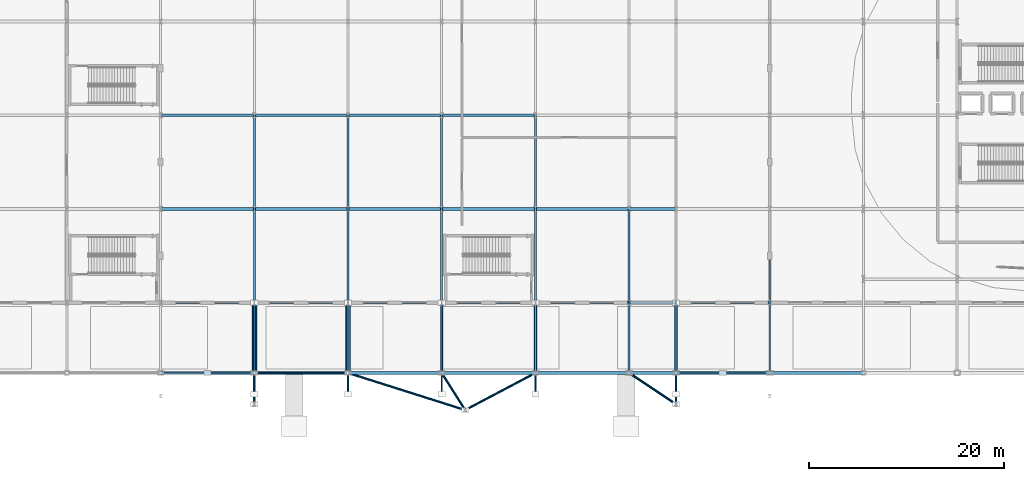
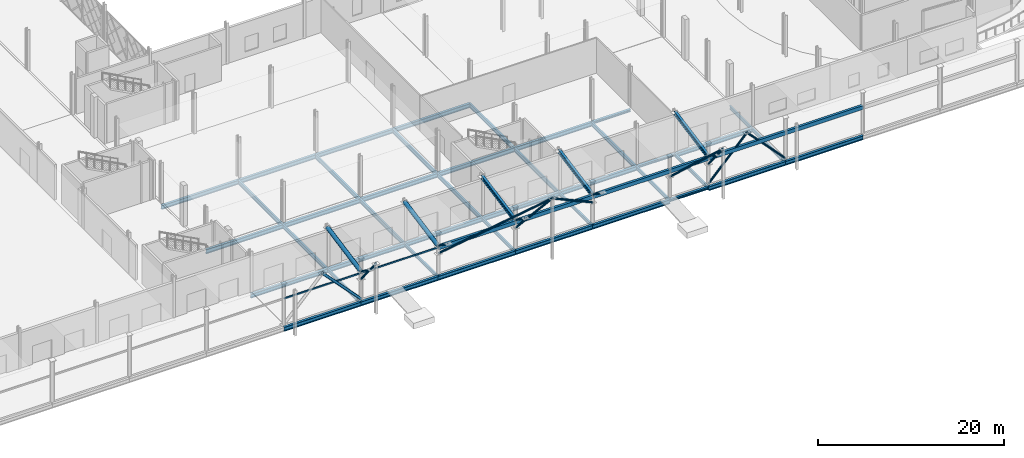
# One storey, part 30 of 84: 50 beams, 19 members.
"""IFC4 building model written with IfcOpenShell, lengths in metres."""

from ifc_helpers import new_model, si_unit, direction, frame, origin, origin_2d, place, context, subcontext, project, spatial, rectangle, hollow_rectangle, hollow_circle, i_section, extrude, material, material_profile, profile_set, type_object, element, save


model = new_model("IFC4")

# Units and contexts
model_context = context("Model", 3, precision=1e-05, world=origin(), true_north=direction((0.0, 1.0)))
body_context = subcontext(model_context, "Body", "Model", "MODEL_VIEW")
ifc_project = project(units=[si_unit("LENGTHUNIT", "METRE"), si_unit("AREAUNIT", "SQUARE_METRE"), si_unit("VOLUMEUNIT", "CUBIC_METRE"), si_unit("PLANEANGLEUNIT", "RADIAN"), si_unit("MASSUNIT", "GRAM", prefix="KILO")], contexts=[model_context])

# Site, building, storey
site_placement = place(None, origin())
site = spatial("IfcSite", under=ifc_project, at=site_placement, CompositionType="ELEMENT")
building_placement = place(site_placement, origin())
building = spatial("IfcBuilding", under=site, at=building_placement, Name="Zevrakil Square Congress Hotel", CompositionType="ELEMENT")
storey_placement = place(building_placement, origin())
storey = spatial("IfcBuildingStorey", under=building, at=storey_placement, Name="L01", CompositionType="ELEMENT", Elevation=0.0)

# Beams
ifc_material_1 = material(Name="Steel S355", Category="steel")
ifc_material_profile_1 = material_profile(ifc_material_1, i_section(OverallWidth=0.300048828125, OverallDepth=0.31005859375, WebThickness=0.009033203125, FlangeThickness=0.015380859375, FilletRadius=0.027099609375, at=origin_2d()), Name="HEA 320")
ifc_profile_set_1 = profile_set([ifc_material_profile_1], Name="Steel S355")
beam_type_1 = type_object("IfcBeamType", Name="BM-HEA320", PredefinedType="BEAM", material=ifc_profile_set_1)
for number, where, z_axis, x_axis, name in (
    (1, (103.199951171875, 0.0, -0.47509765625), (1.0, 0.0, 0.0), (0.0, 1.0, 0.0), "L01 primary girder BX-0270"),
    (2, (103.199951171875, 7.199951171875, -0.47509765625), (1.0, 0.0, 0.0), (0.0, 1.0, 0.0), "L01 primary girder BX-0289"),
    (3, (103.199951171875, 16.800048828125, -0.47509765625), (1.0, 0.0, 0.0), (0.0, 1.0, 0.0), "L01 primary girder BX-0306"),
):
    element("IfcBeam", number, at=place(storey_placement, frame(where, z_axis=z_axis, x_axis=x_axis)), inside=storey, type_object=beam_type_1, Name=name, PredefinedType="BEAM", context=body_context, shape_type="SweptSolid", body=[
        extrude(i_section(OverallWidth=0.300048828125, OverallDepth=0.31005859375, WebThickness=0.009033203125, FlangeThickness=0.015380859375, FilletRadius=0.027099609375, at=origin_2d()), origin(), (0.0, 0.0, 1.0), 4.800048828125),
    ])
ifc_material_2 = material(Name="Steel S355", Category="steel")
ifc_material_profile_2 = material_profile(ifc_material_2, i_section(OverallWidth=0.300048828125, OverallDepth=0.5400390625, WebThickness=0.012451171875, FlangeThickness=0.02392578125, FilletRadius=0.027099609375, at=origin_2d()), Name="HEA 550")
ifc_profile_set_2 = profile_set([ifc_material_profile_2], Name="Steel S355")
beam_type_2 = type_object("IfcBeamType", Name="BM-HEA550", PredefinedType="BEAM", material=ifc_profile_set_2)
beam_1_placement = place(storey_placement, frame((55.199951171875, 0.0, -0.590087890625), z_axis=(1.0, 0.0, 0.0), x_axis=(0.0, 1.0, 0.0)))
element("IfcBeam", 4, at=beam_1_placement, inside=storey, type_object=beam_type_2, Name="L01 primary girder BX-0265", PredefinedType="BEAM", context=body_context, shape_type="SweptSolid", body=[
    extrude(i_section(OverallWidth=0.300048828125, OverallDepth=0.5400390625, WebThickness=0.012451171875, FlangeThickness=0.02392578125, FilletRadius=0.027099609375, at=origin_2d()), origin(), (0.0, 0.0, 1.0), 9.60009765625),
])
beam_2_placement = place(storey_placement, frame((64.800048828125, 0.0, -0.590087890625), z_axis=(1.0, 0.0, 0.0), x_axis=(0.0, 1.0, 0.0)))
element("IfcBeam", 5, at=beam_2_placement, inside=storey, type_object=beam_type_2, Name="L01 primary girder BX-0266", PredefinedType="BEAM", context=body_context, shape_type="SweptSolid", body=[
    extrude(i_section(OverallWidth=0.300048828125, OverallDepth=0.5400390625, WebThickness=0.012451171875, FlangeThickness=0.02392578125, FilletRadius=0.027099609375, at=origin_2d()), origin(), (0.0, 0.0, 1.0), 9.599853515625),
])
for number, where, z_axis, x_axis, name in (
    (6, (74.39990234375, 0.0, -0.590087890625), (1.0, 0.0, 0.0), (0.0, 1.0, 0.0), "L01 primary girder BX-0267"),
    (7, (84.0, 0.0, -0.590087890625), (1.0, 0.0, 0.0), (0.0, 1.0, 0.0), "L01 primary girder BX-0268"),
):
    element("IfcBeam", number, at=place(storey_placement, frame(where, z_axis=z_axis, x_axis=x_axis)), inside=storey, type_object=beam_type_2, Name=name, PredefinedType="BEAM", context=body_context, shape_type="SweptSolid", body=[
        extrude(i_section(OverallWidth=0.300048828125, OverallDepth=0.5400390625, WebThickness=0.012451171875, FlangeThickness=0.02392578125, FilletRadius=0.027099609375, at=origin_2d()), origin(), (0.0, 0.0, 1.0), 9.60009765625),
    ])
beam_3_placement = place(storey_placement, frame((93.60009765625, 0.0, -0.590087890625), z_axis=(1.0, 0.0, 0.0), x_axis=(0.0, 1.0, 0.0)))
element("IfcBeam", 8, at=beam_3_placement, inside=storey, type_object=beam_type_2, Name="L01 primary girder BX-0269", PredefinedType="BEAM", context=body_context, shape_type="SweptSolid", body=[
    extrude(i_section(OverallWidth=0.300048828125, OverallDepth=0.5400390625, WebThickness=0.012451171875, FlangeThickness=0.02392578125, FilletRadius=0.027099609375, at=origin_2d()), origin(), (0.0, 0.0, 1.0), 9.599853515625),
])
beam_4_placement = place(storey_placement, frame((108.0, 0.0, -0.590087890625), z_axis=(1.0, 0.0, 0.0), x_axis=(0.0, 1.0, 0.0)))
element("IfcBeam", 9, at=beam_4_placement, inside=storey, type_object=beam_type_2, Name="L01 primary girder BX-0271", PredefinedType="BEAM", context=body_context, shape_type="SweptSolid", body=[
    extrude(i_section(OverallWidth=0.300048828125, OverallDepth=0.5400390625, WebThickness=0.012451171875, FlangeThickness=0.02392578125, FilletRadius=0.027099609375, at=origin_2d()), origin(), (0.0, 0.0, 1.0), 9.60009765625),
])
beam_5_placement = place(storey_placement, frame((117.60009765625, 0.0, -0.590087890625), z_axis=(1.0, 0.0, 0.0), x_axis=(0.0, 1.0, 0.0)))
element("IfcBeam", 10, at=beam_5_placement, inside=storey, type_object=beam_type_2, Name="L01 primary girder BX-0272", PredefinedType="BEAM", context=body_context, shape_type="SweptSolid", body=[
    extrude(i_section(OverallWidth=0.300048828125, OverallDepth=0.5400390625, WebThickness=0.012451171875, FlangeThickness=0.02392578125, FilletRadius=0.027099609375, at=origin_2d()), origin(), (0.0, 0.0, 1.0), 9.599853515625),
])
beam_6_placement = place(storey_placement, frame((55.199951171875, 7.199951171875, -0.590087890625), z_axis=(1.0, 0.0, 0.0), x_axis=(0.0, 1.0, 0.0)))
element("IfcBeam", 11, at=beam_6_placement, inside=storey, type_object=beam_type_2, Name="L01 primary girder BX-0284", PredefinedType="BEAM", context=body_context, shape_type="SweptSolid", body=[
    extrude(i_section(OverallWidth=0.300048828125, OverallDepth=0.5400390625, WebThickness=0.012451171875, FlangeThickness=0.02392578125, FilletRadius=0.027099609375, at=origin_2d()), origin(), (0.0, 0.0, 1.0), 9.60009765625),
])
beam_7_placement = place(storey_placement, frame((64.800048828125, 7.199951171875, -0.590087890625), z_axis=(1.0, 0.0, 0.0), x_axis=(0.0, 1.0, 0.0)))
element("IfcBeam", 12, at=beam_7_placement, inside=storey, type_object=beam_type_2, Name="L01 primary girder BX-0285", PredefinedType="BEAM", context=body_context, shape_type="SweptSolid", body=[
    extrude(i_section(OverallWidth=0.300048828125, OverallDepth=0.5400390625, WebThickness=0.012451171875, FlangeThickness=0.02392578125, FilletRadius=0.027099609375, at=origin_2d()), origin(), (0.0, 0.0, 1.0), 9.599853515625),
])
for number, where, z_axis, x_axis, name in (
    (13, (74.39990234375, 7.199951171875, -0.590087890625), (1.0, 0.0, 0.0), (0.0, 1.0, 0.0), "L01 primary girder BX-0286"),
    (14, (84.0, 7.199951171875, -0.590087890625), (1.0, 0.0, 0.0), (0.0, 1.0, 0.0), "L01 primary girder BX-0287"),
):
    element("IfcBeam", number, at=place(storey_placement, frame(where, z_axis=z_axis, x_axis=x_axis)), inside=storey, type_object=beam_type_2, Name=name, PredefinedType="BEAM", context=body_context, shape_type="SweptSolid", body=[
        extrude(i_section(OverallWidth=0.300048828125, OverallDepth=0.5400390625, WebThickness=0.012451171875, FlangeThickness=0.02392578125, FilletRadius=0.027099609375, at=origin_2d()), origin(), (0.0, 0.0, 1.0), 9.60009765625),
    ])
beam_8_placement = place(storey_placement, frame((93.60009765625, 7.199951171875, -0.590087890625), z_axis=(1.0, 0.0, 0.0), x_axis=(0.0, 1.0, 0.0)))
element("IfcBeam", 15, at=beam_8_placement, inside=storey, type_object=beam_type_2, Name="L01 primary girder BX-0288", PredefinedType="BEAM", context=body_context, shape_type="SweptSolid", body=[
    extrude(i_section(OverallWidth=0.300048828125, OverallDepth=0.5400390625, WebThickness=0.012451171875, FlangeThickness=0.02392578125, FilletRadius=0.027099609375, at=origin_2d()), origin(), (0.0, 0.0, 1.0), 9.599853515625),
])
for number, where, z_axis, x_axis, name in (
    (16, (108.0, 7.199951171875, -0.590087890625), (1.0, 0.0, 0.0), (0.0, 1.0, 0.0), "L01 primary girder BX-0290"),
    (17, (55.199951171875, 16.800048828125, -0.590087890625), (1.0, 0.0, 0.0), (0.0, 1.0, 0.0), "L01 primary girder BX-0301"),
):
    element("IfcBeam", number, at=place(storey_placement, frame(where, z_axis=z_axis, x_axis=x_axis)), inside=storey, type_object=beam_type_2, Name=name, PredefinedType="BEAM", context=body_context, shape_type="SweptSolid", body=[
        extrude(i_section(OverallWidth=0.300048828125, OverallDepth=0.5400390625, WebThickness=0.012451171875, FlangeThickness=0.02392578125, FilletRadius=0.027099609375, at=origin_2d()), origin(), (0.0, 0.0, 1.0), 9.60009765625),
    ])
beam_9_placement = place(storey_placement, frame((64.800048828125, 16.800048828125, -0.590087890625), z_axis=(1.0, 0.0, 0.0), x_axis=(0.0, 1.0, 0.0)))
element("IfcBeam", 18, at=beam_9_placement, inside=storey, type_object=beam_type_2, Name="L01 primary girder BX-0302", PredefinedType="BEAM", context=body_context, shape_type="SweptSolid", body=[
    extrude(i_section(OverallWidth=0.300048828125, OverallDepth=0.5400390625, WebThickness=0.012451171875, FlangeThickness=0.02392578125, FilletRadius=0.027099609375, at=origin_2d()), origin(), (0.0, 0.0, 1.0), 9.599853515625),
])
for number, where, z_axis, x_axis, name in (
    (19, (74.39990234375, 16.800048828125, -0.590087890625), (1.0, 0.0, 0.0), (0.0, 1.0, 0.0), "L01 primary girder BX-0303"),
    (20, (84.0, 16.800048828125, -0.590087890625), (1.0, 0.0, 0.0), (0.0, 1.0, 0.0), "L01 primary girder BX-0304"),
):
    element("IfcBeam", number, at=place(storey_placement, frame(where, z_axis=z_axis, x_axis=x_axis)), inside=storey, type_object=beam_type_2, Name=name, PredefinedType="BEAM", context=body_context, shape_type="SweptSolid", body=[
        extrude(i_section(OverallWidth=0.300048828125, OverallDepth=0.5400390625, WebThickness=0.012451171875, FlangeThickness=0.02392578125, FilletRadius=0.027099609375, at=origin_2d()), origin(), (0.0, 0.0, 1.0), 9.60009765625),
    ])
beam_10_placement = place(storey_placement, frame((93.60009765625, 16.800048828125, -0.590087890625), z_axis=(1.0, 0.0, 0.0), x_axis=(0.0, 1.0, 0.0)))
element("IfcBeam", 21, at=beam_10_placement, inside=storey, type_object=beam_type_2, Name="L01 primary girder BX-0305", PredefinedType="BEAM", context=body_context, shape_type="SweptSolid", body=[
    extrude(i_section(OverallWidth=0.300048828125, OverallDepth=0.5400390625, WebThickness=0.012451171875, FlangeThickness=0.02392578125, FilletRadius=0.027099609375, at=origin_2d()), origin(), (0.0, 0.0, 1.0), 9.599853515625),
])
beam_11_placement = place(storey_placement, frame((55.199951171875, 26.39990234375, -0.590087890625), z_axis=(1.0, 0.0, 0.0), x_axis=(0.0, 1.0, 0.0)))
element("IfcBeam", 22, at=beam_11_placement, inside=storey, type_object=beam_type_2, Name="L01 primary girder BX-0320", PredefinedType="BEAM", context=body_context, shape_type="SweptSolid", body=[
    extrude(i_section(OverallWidth=0.300048828125, OverallDepth=0.5400390625, WebThickness=0.012451171875, FlangeThickness=0.02392578125, FilletRadius=0.027099609375, at=origin_2d()), origin(), (0.0, 0.0, 1.0), 9.60009765625),
])
beam_12_placement = place(storey_placement, frame((64.800048828125, 26.39990234375, -0.590087890625), z_axis=(1.0, 0.0, 0.0), x_axis=(0.0, 1.0, 0.0)))
element("IfcBeam", 23, at=beam_12_placement, inside=storey, type_object=beam_type_2, Name="L01 primary girder BX-0321", PredefinedType="BEAM", context=body_context, shape_type="SweptSolid", body=[
    extrude(i_section(OverallWidth=0.300048828125, OverallDepth=0.5400390625, WebThickness=0.012451171875, FlangeThickness=0.02392578125, FilletRadius=0.027099609375, at=origin_2d()), origin(), (0.0, 0.0, 1.0), 9.599853515625),
])
for number, where, z_axis, x_axis, name in (
    (24, (74.39990234375, 26.39990234375, -0.590087890625), (1.0, 0.0, 0.0), (0.0, 1.0, 0.0), "L01 primary girder BX-0322"),
    (25, (84.0, 26.39990234375, -0.590087890625), (1.0, 0.0, 0.0), (0.0, 1.0, 0.0), "L01 primary girder BX-0323"),
):
    element("IfcBeam", number, at=place(storey_placement, frame(where, z_axis=z_axis, x_axis=x_axis)), inside=storey, type_object=beam_type_2, Name=name, PredefinedType="BEAM", context=body_context, shape_type="SweptSolid", body=[
        extrude(i_section(OverallWidth=0.300048828125, OverallDepth=0.5400390625, WebThickness=0.012451171875, FlangeThickness=0.02392578125, FilletRadius=0.027099609375, at=origin_2d()), origin(), (0.0, 0.0, 1.0), 9.60009765625),
    ])
ifc_material_3 = material(Name="Steel S355", Category="steel")
ifc_material_profile_3 = material_profile(ifc_material_3, i_section(OverallWidth=0.18994140625, OverallDepth=0.449951171875, WebThickness=0.009521484375, FlangeThickness=0.0146484375, FilletRadius=0.02099609375, at=origin_2d()), Name="IPE 450")
ifc_profile_set_3 = profile_set([ifc_material_profile_3], Name="Steel S355")
beam_type_3 = type_object("IfcBeamType", Name="BM-IPE450", PredefinedType="BEAM", material=ifc_profile_set_3)
for number, where, z_axis, x_axis, name in (
    (26, (64.800048828125, 0.0, -0.544921875), (0.0, 1.0, 0.0), (-1.0, 0.0, 0.0), "L01 primary girder BY-0535"),
    (27, (74.39990234375, 0.0, -0.544921875), (0.0, 1.0, 0.0), (-1.0, 0.0, 0.0), "L01 primary girder BY-0548"),
    (28, (84.0, 0.0, -0.544921875), (0.0, 1.0, 0.0), (-1.0, 0.0, 0.0), "L01 primary girder BY-0557"),
    (29, (93.60009765625, 0.0, -0.544921875), (0.0, 1.0, 0.0), (-1.0, 0.0, 0.0), "L01 primary girder BY-0566"),
    (30, (103.199951171875, 0.0, -0.544921875), (0.0, 1.0, 0.0), (-1.0, 0.0, 0.0), "L01 primary girder BY-0575"),
    (31, (108.0, 0.0, -0.544921875), (0.0, 1.0, 0.0), (-1.0, 0.0, 0.0), "L01 primary girder BY-0584"),
    (32, (117.60009765625, 0.0, -0.544921875), (0.0, 1.0, 0.0), (-1.0, 0.0, 0.0), "L01 primary girder BY-0597"),
):
    element("IfcBeam", number, at=place(storey_placement, frame(where, z_axis=z_axis, x_axis=x_axis)), inside=storey, type_object=beam_type_3, Name=name, PredefinedType="BEAM", context=body_context, shape_type="SweptSolid", body=[
        extrude(i_section(OverallWidth=0.18994140625, OverallDepth=0.449951171875, WebThickness=0.009521484375, FlangeThickness=0.0146484375, FilletRadius=0.02099609375, at=origin_2d()), origin(), (0.0, 0.0, 1.0), 7.199951171875),
    ])
beam_13_placement = place(storey_placement, frame((117.60009765625, 7.199951171875, -0.544921875), z_axis=(0.0, 1.0, 0.0), x_axis=(-1.0, 0.0, 0.0)))
element("IfcBeam", 33, at=beam_13_placement, inside=storey, type_object=beam_type_3, Name="L01 primary girder BY-0598", PredefinedType="BEAM", context=body_context, shape_type="SweptSolid", body=[
    extrude(i_section(OverallWidth=0.18994140625, OverallDepth=0.449951171875, WebThickness=0.009521484375, FlangeThickness=0.0146484375, FilletRadius=0.02099609375, at=origin_2d()), origin(), (0.0, 0.0, 1.0), 4.800048828125),
])
ifc_material_4 = material(Name="Steel S355", Category="steel")
ifc_material_profile_4 = material_profile(ifc_material_4, i_section(OverallWidth=0.2099609375, OverallDepth=0.550048828125, WebThickness=0.010986328125, FlangeThickness=0.01708984375, FilletRadius=0.02392578125, at=origin_2d()), Name="IPE 550")
ifc_profile_set_4 = profile_set([ifc_material_profile_4], Name="Steel S355")
beam_type_4 = type_object("IfcBeamType", Name="BM-IPE550", PredefinedType="BEAM", material=ifc_profile_set_4)
beam_14_placement = place(storey_placement, frame((64.800048828125, 7.199951171875, -0.594970703125), z_axis=(0.0, 1.0, 0.0), x_axis=(-1.0, 0.0, 0.0)))
element("IfcBeam", 34, at=beam_14_placement, inside=storey, type_object=beam_type_4, Name="L01 primary girder BY-0536", PredefinedType="BEAM", context=body_context, shape_type="SweptSolid", body=[
    extrude(i_section(OverallWidth=0.2099609375, OverallDepth=0.550048828125, WebThickness=0.010986328125, FlangeThickness=0.01708984375, FilletRadius=0.02392578125, at=origin_2d()), origin(), (0.0, 0.0, 1.0), 9.60009765625),
])
beam_15_placement = place(storey_placement, frame((64.800048828125, 16.800048828125, -0.594970703125), z_axis=(0.0, 1.0, 0.0), x_axis=(-1.0, 0.0, 0.0)))
element("IfcBeam", 35, at=beam_15_placement, inside=storey, type_object=beam_type_4, Name="L01 primary girder BY-0537", PredefinedType="BEAM", context=body_context, shape_type="SweptSolid", body=[
    extrude(i_section(OverallWidth=0.2099609375, OverallDepth=0.550048828125, WebThickness=0.010986328125, FlangeThickness=0.01708984375, FilletRadius=0.02392578125, at=origin_2d()), origin(), (0.0, 0.0, 1.0), 9.599853515625),
])
beam_16_placement = place(storey_placement, frame((74.39990234375, 7.199951171875, -0.594970703125), z_axis=(0.0, 1.0, 0.0), x_axis=(-1.0, 0.0, 0.0)))
element("IfcBeam", 36, at=beam_16_placement, inside=storey, type_object=beam_type_4, Name="L01 primary girder BY-0549", PredefinedType="BEAM", context=body_context, shape_type="SweptSolid", body=[
    extrude(i_section(OverallWidth=0.2099609375, OverallDepth=0.550048828125, WebThickness=0.010986328125, FlangeThickness=0.01708984375, FilletRadius=0.02392578125, at=origin_2d()), origin(), (0.0, 0.0, 1.0), 9.60009765625),
])
beam_17_placement = place(storey_placement, frame((74.39990234375, 16.800048828125, -0.594970703125), z_axis=(0.0, 1.0, 0.0), x_axis=(-1.0, 0.0, 0.0)))
element("IfcBeam", 37, at=beam_17_placement, inside=storey, type_object=beam_type_4, Name="L01 primary girder BY-0550", PredefinedType="BEAM", context=body_context, shape_type="SweptSolid", body=[
    extrude(i_section(OverallWidth=0.2099609375, OverallDepth=0.550048828125, WebThickness=0.010986328125, FlangeThickness=0.01708984375, FilletRadius=0.02392578125, at=origin_2d()), origin(), (0.0, 0.0, 1.0), 9.599853515625),
])
beam_18_placement = place(storey_placement, frame((84.0, 7.199951171875, -0.594970703125), z_axis=(0.0, 1.0, 0.0), x_axis=(-1.0, 0.0, 0.0)))
element("IfcBeam", 38, at=beam_18_placement, inside=storey, type_object=beam_type_4, Name="L01 primary girder BY-0558", PredefinedType="BEAM", context=body_context, shape_type="SweptSolid", body=[
    extrude(i_section(OverallWidth=0.2099609375, OverallDepth=0.550048828125, WebThickness=0.010986328125, FlangeThickness=0.01708984375, FilletRadius=0.02392578125, at=origin_2d()), origin(), (0.0, 0.0, 1.0), 9.60009765625),
])
beam_19_placement = place(storey_placement, frame((84.0, 16.800048828125, -0.594970703125), z_axis=(0.0, 1.0, 0.0), x_axis=(-1.0, 0.0, 0.0)))
element("IfcBeam", 39, at=beam_19_placement, inside=storey, type_object=beam_type_4, Name="L01 primary girder BY-0559", PredefinedType="BEAM", context=body_context, shape_type="SweptSolid", body=[
    extrude(i_section(OverallWidth=0.2099609375, OverallDepth=0.550048828125, WebThickness=0.010986328125, FlangeThickness=0.01708984375, FilletRadius=0.02392578125, at=origin_2d()), origin(), (0.0, 0.0, 1.0), 9.599853515625),
])
beam_20_placement = place(storey_placement, frame((93.60009765625, 7.199951171875, -0.594970703125), z_axis=(0.0, 1.0, 0.0), x_axis=(-1.0, 0.0, 0.0)))
element("IfcBeam", 40, at=beam_20_placement, inside=storey, type_object=beam_type_4, Name="L01 primary girder BY-0567", PredefinedType="BEAM", context=body_context, shape_type="SweptSolid", body=[
    extrude(i_section(OverallWidth=0.2099609375, OverallDepth=0.550048828125, WebThickness=0.010986328125, FlangeThickness=0.01708984375, FilletRadius=0.02392578125, at=origin_2d()), origin(), (0.0, 0.0, 1.0), 9.60009765625),
])
beam_21_placement = place(storey_placement, frame((93.60009765625, 16.800048828125, -0.594970703125), z_axis=(0.0, 1.0, 0.0), x_axis=(-1.0, 0.0, 0.0)))
element("IfcBeam", 41, at=beam_21_placement, inside=storey, type_object=beam_type_4, Name="L01 primary girder BY-0568", PredefinedType="BEAM", context=body_context, shape_type="SweptSolid", body=[
    extrude(i_section(OverallWidth=0.2099609375, OverallDepth=0.550048828125, WebThickness=0.010986328125, FlangeThickness=0.01708984375, FilletRadius=0.02392578125, at=origin_2d()), origin(), (0.0, 0.0, 1.0), 9.599853515625),
])
beam_22_placement = place(storey_placement, frame((103.199951171875, 7.199951171875, -0.594970703125), z_axis=(0.0, 1.0, 0.0), x_axis=(-1.0, 0.0, 0.0)))
element("IfcBeam", 42, at=beam_22_placement, inside=storey, type_object=beam_type_4, Name="L01 primary girder BY-0576", PredefinedType="BEAM", context=body_context, shape_type="SweptSolid", body=[
    extrude(i_section(OverallWidth=0.2099609375, OverallDepth=0.550048828125, WebThickness=0.010986328125, FlangeThickness=0.01708984375, FilletRadius=0.02392578125, at=origin_2d()), origin(), (0.0, 0.0, 1.0), 9.60009765625),
])
ifc_material_5 = material(Name="Concrete C40/50", Category="concrete")
ifc_material_profile_5 = material_profile(ifc_material_5, rectangle(XDim=0.300048828125, YDim=0.5, at=origin_2d()), Name="RC 300x500")
ifc_profile_set_5 = profile_set([ifc_material_profile_5], Name="Concrete C40/50")
beam_type_5 = type_object("IfcBeamType", Name="LNT-RC300x500", PredefinedType="LINTEL", material=ifc_profile_set_5)
for number, where, z_axis, x_axis, name in (
    (43, (74.39990234375, 0.0, 3.39990234375), (1.0, 0.0, 0.0), (0.0, 1.0, 0.0), "L01 colonnade transom lintel LN-09"),
    (44, (84.0, 0.0, 3.39990234375), (1.0, 0.0, 0.0), (0.0, 1.0, 0.0), "L01 colonnade transom lintel LN-10"),
):
    element("IfcBeam", number, at=place(storey_placement, frame(where, z_axis=z_axis, x_axis=x_axis)), inside=storey, type_object=beam_type_5, Name=name, PredefinedType="LINTEL", context=body_context, shape_type="SweptSolid", body=[
        extrude(rectangle(XDim=0.300048828125, YDim=0.5, at=origin_2d()), origin(), (0.0, 0.0, 1.0), 9.60009765625),
    ])
beam_23_placement = place(storey_placement, frame((93.60009765625, 0.0, 3.39990234375), z_axis=(1.0, 0.0, 0.0), x_axis=(0.0, 1.0, 0.0)))
element("IfcBeam", 45, at=beam_23_placement, inside=storey, type_object=beam_type_5, Name="L01 colonnade transom lintel LN-11", PredefinedType="LINTEL", context=body_context, shape_type="SweptSolid", body=[
    extrude(rectangle(XDim=0.300048828125, YDim=0.5, at=origin_2d()), origin(), (0.0, 0.0, 1.0), 9.599853515625),
])
beam_24_placement = place(storey_placement, frame((103.199951171875, 0.0, 3.39990234375), z_axis=(1.0, 0.0, 0.0), x_axis=(0.0, 1.0, 0.0)))
element("IfcBeam", 46, at=beam_24_placement, inside=storey, type_object=beam_type_5, Name="L01 colonnade transom lintel LN-12", PredefinedType="LINTEL", context=body_context, shape_type="SweptSolid", body=[
    extrude(rectangle(XDim=0.300048828125, YDim=0.5, at=origin_2d()), origin(), (0.0, 0.0, 1.0), 4.800048828125),
])
beam_25_placement = place(storey_placement, frame((108.0, 0.0, 3.39990234375), z_axis=(1.0, 0.0, 0.0), x_axis=(0.0, 1.0, 0.0)))
element("IfcBeam", 47, at=beam_25_placement, inside=storey, type_object=beam_type_5, Name="L01 colonnade transom lintel LN-13", PredefinedType="LINTEL", context=body_context, shape_type="SweptSolid", body=[
    extrude(rectangle(XDim=0.300048828125, YDim=0.5, at=origin_2d()), origin(), (0.0, 0.0, 1.0), 9.60009765625),
])
beam_26_placement = place(storey_placement, frame((117.60009765625, 0.0, 3.39990234375), z_axis=(1.0, 0.0, 0.0), x_axis=(0.0, 1.0, 0.0)))
element("IfcBeam", 48, at=beam_26_placement, inside=storey, type_object=beam_type_5, Name="L01 colonnade transom lintel LN-14", PredefinedType="LINTEL", context=body_context, shape_type="SweptSolid", body=[
    extrude(rectangle(XDim=0.300048828125, YDim=0.5, at=origin_2d()), origin(), (0.0, 0.0, 1.0), 9.599853515625),
])
ifc_material_6 = material(Name="Steel S355", Category="steel")
ifc_material_profile_6 = material_profile(ifc_material_6, hollow_rectangle(XDim=0.10009765625, YDim=0.199951171875, WallThickness=0.010009765625, InnerFilletRadius=0.010009765625, OuterFilletRadius=0.02001953125, at=origin_2d()), Name="RHS 200x100x10")
ifc_profile_set_6 = profile_set([ifc_material_profile_6], Name="Steel S355")
beam_type_6 = type_object("IfcBeamType", Name="LNT-RHS200", PredefinedType="LINTEL", material=ifc_profile_set_6)
beam_27_placement = place(storey_placement, frame((55.199951171875, 0.0, 3.39990234375), z_axis=(1.0, 0.0, 0.0), x_axis=(0.0, 1.0, 0.0)))
element("IfcBeam", 49, at=beam_27_placement, inside=storey, type_object=beam_type_6, Name="L01 colonnade transom lintel LN-07", PredefinedType="LINTEL", context=body_context, shape_type="SweptSolid", body=[
    extrude(hollow_rectangle(XDim=0.10009765625, YDim=0.199951171875, WallThickness=0.010009765625, InnerFilletRadius=0.010009765625, OuterFilletRadius=0.02001953125, at=origin_2d()), origin(), (0.0, 0.0, 1.0), 9.60009765625),
])
beam_28_placement = place(storey_placement, frame((64.800048828125, 0.0, 3.39990234375), z_axis=(1.0, 0.0, 0.0), x_axis=(0.0, 1.0, 0.0)))
element("IfcBeam", 50, at=beam_28_placement, inside=storey, type_object=beam_type_6, Name="L01 colonnade transom lintel LN-08", PredefinedType="LINTEL", context=body_context, shape_type="SweptSolid", body=[
    extrude(hollow_rectangle(XDim=0.10009765625, YDim=0.199951171875, WallThickness=0.010009765625, InnerFilletRadius=0.010009765625, OuterFilletRadius=0.02001953125, at=origin_2d()), origin(), (0.0, 0.0, 1.0), 9.599853515625),
])

# Members
ifc_material_7 = material(Name="Steel S355", Category="steel")
ifc_material_profile_7 = material_profile(ifc_material_7, hollow_circle(Radius=0.096923828125, WallThickness=0.010009765625, at=origin_2d()), Name="CHS 193.7x10")
ifc_profile_set_7 = profile_set([ifc_material_profile_7], Name="Steel S355")
member_type_1 = type_object("IfcMemberType", Name="MEM-BRACE-CHS193", PredefinedType="BRACE", material=ifc_profile_set_7)
for number, where, z_axis, x_axis, name in (
    (51, (64.800048828125, 0.0, 3.60009765625), (0.0, -0.808755489706, 0.588145014321), (1.0, 0.0, 0.0), "South entrance canopy raking strut CST-01"),
    (52, (74.39990234375, 0.0, 3.60009765625), (0.0, -0.808755489706, 0.588145014321), (1.0, 0.0, 0.0), "South entrance canopy raking strut CST-02"),
    (53, (84.0, 0.0, 3.60009765625), (0.0, -0.808755489706, 0.588145014321), (1.0, 0.0, 0.0), "South entrance canopy raking strut CST-03"),
    (54, (93.60009765625, 0.0, 3.60009765625), (0.0, -0.808755489706, 0.588145014321), (1.0, 0.0, 0.0), "South entrance canopy raking strut CST-04"),
    (55, (108.0, 0.0, 3.60009765625), (0.0, -0.808755489706, 0.588145014321), (1.0, 0.0, 0.0), "South entrance canopy raking strut CST-05"),
):
    element("IfcMember", number, at=place(storey_placement, frame(where, z_axis=z_axis, x_axis=x_axis)), inside=storey, type_object=member_type_1, Name=name, PredefinedType="BRACE", context=body_context, shape_type="SweptSolid", body=[
        extrude(hollow_circle(Radius=0.096923828125, WallThickness=0.010009765625, at=origin_2d()), origin(), (0.0, 0.0, 1.0), 2.72021484375),
    ])
ifc_material_8 = material(Name="Steel S355", Category="steel")
ifc_material_profile_8 = material_profile(ifc_material_8, hollow_circle(Radius=0.122314453125, WallThickness=0.012451171875, at=origin_2d()), Name="CHS 244.5x12.5")
ifc_profile_set_8 = profile_set([ifc_material_profile_8], Name="Steel S355")
member_type_2 = type_object("IfcMemberType", Name="MEM-BRACE-CHS244", PredefinedType="BRACE", material=ifc_profile_set_8)
member_1_placement = place(storey_placement, frame((64.800048828125, 0.0, 2.60009765625), z_axis=(0.0, -0.629480029007, 0.777016662036), x_axis=(1.0, 0.0, 0.0)))
element("IfcMember", 56, at=member_1_placement, inside=storey, type_object=member_type_2, Name="South square entrance canopy raked steel strut CNS-01", PredefinedType="BRACE", context=body_context, shape_type="SweptSolid", body=[
    extrude(hollow_circle(Radius=0.122314453125, WallThickness=0.012451171875, at=origin_2d()), origin(), (0.0, 0.0, 1.0), 5.08349609375),
])
member_2_placement = place(storey_placement, frame((74.39990234375, 0.0, 2.60009765625), z_axis=(0.8773831056, -0.277841553521, 0.391155924337), x_axis=(0.301895230306, 0.9533411089, 0.0)))
element("IfcMember", 57, at=member_2_placement, inside=storey, type_object=member_type_2, Name="South square entrance canopy raked steel strut CNS-02", PredefinedType="BRACE", context=body_context, shape_type="SweptSolid", body=[
    extrude(hollow_circle(Radius=0.122314453125, WallThickness=0.012451171875, at=origin_2d()), origin(), (0.0, 0.0, 1.0), 13.677001953125),
])
member_3_placement = place(storey_placement, frame((84.0, 0.0, 2.60009765625), z_axis=(0.343471706922, -0.543859320268, 0.765665871188), x_axis=(0.845501810675, 0.533972553738, 0.0)))
element("IfcMember", 58, at=member_3_placement, inside=storey, type_object=member_type_2, Name="South square entrance canopy raked steel strut CNS-03", PredefinedType="BRACE", context=body_context, shape_type="SweptSolid", body=[
    extrude(hollow_circle(Radius=0.122314453125, WallThickness=0.012451171875, at=origin_2d()), origin(), (0.0, 0.0, 1.0), 6.9873046875),
])
member_4_placement = place(storey_placement, frame((93.60009765625, 0.0, 2.60009765625), z_axis=(-0.739097532756, -0.390073684299, 0.549160593899), x_axis=(0.466753407503, -0.884387503634, 0.0)))
element("IfcMember", 59, at=member_4_placement, inside=storey, type_object=member_type_2, Name="South square entrance canopy raked steel strut CNS-04", PredefinedType="BRACE", context=body_context, shape_type="SweptSolid", body=[
    extrude(hollow_circle(Radius=0.122314453125, WallThickness=0.012451171875, at=origin_2d()), origin(), (0.0, 0.0, 1.0), 9.741943359375),
])
member_5_placement = place(storey_placement, frame((103.199951171875, 0.0, 2.60009765625), z_axis=(0.686546520101, -0.457686040332, 0.564957842872), x_axis=(0.554690429995, 0.832056805075, 0.0)))
element("IfcMember", 60, at=member_5_placement, inside=storey, type_object=member_type_2, Name="South square entrance canopy raked steel strut CNS-05", PredefinedType="BRACE", context=body_context, shape_type="SweptSolid", body=[
    extrude(hollow_circle(Radius=0.122314453125, WallThickness=0.012451171875, at=origin_2d()), origin(), (0.0, 0.0, 1.0), 6.99169921875),
])
member_6_placement = place(storey_placement, frame((108.0, 0.0, 2.60009765625), z_axis=(0.0, -0.629480029007, 0.777016662036), x_axis=(1.0, 0.0, 0.0)))
element("IfcMember", 61, at=member_6_placement, inside=storey, type_object=member_type_2, Name="South square entrance canopy raked steel strut CNS-06", PredefinedType="BRACE", context=body_context, shape_type="SweptSolid", body=[
    extrude(hollow_circle(Radius=0.122314453125, WallThickness=0.012451171875, at=origin_2d()), origin(), (0.0, 0.0, 1.0), 5.08349609375),
])
for number, where, z_axis, x_axis, name in (
    (62, (108.0, 0.0, 0.0), (0.688938226344, 0.0, 0.724820060624), (0.0, 1.0, 0.0), "L01 colonnade chevron brace CBF-02A"),
    (63, (117.60009765625, 0.0, 0.0), (-0.688938226344, 0.0, 0.724820060624), (0.0, -1.0, 0.0), "L01 colonnade chevron brace CBF-02B"),
):
    element("IfcMember", number, at=place(storey_placement, frame(where, z_axis=z_axis, x_axis=x_axis)), inside=storey, type_object=member_type_2, Name=name, PredefinedType="BRACE", context=body_context, shape_type="SweptSolid", body=[
        extrude(hollow_circle(Radius=0.122314453125, WallThickness=0.012451171875, at=origin_2d()), origin(), (0.0, 0.0, 1.0), 6.96728515625),
    ])
ifc_material_9 = material(Name="Steel S355", Category="steel")
ifc_material_profile_9 = material_profile(ifc_material_9, hollow_circle(Radius=0.161865234375, WallThickness=0.01611328125, at=origin_2d()), Name="CHS 323.9x16")
ifc_profile_set_9 = profile_set([ifc_material_profile_9], Name="Steel S355")
member_type_3 = type_object("IfcMemberType", Name="MEM-BRACE-CHS323", PredefinedType="BRACE", material=ifc_profile_set_9)
member_7_placement = place(storey_placement, frame((64.800048828125, 0.0, 0.0), z_axis=(-0.688938226344, 0.0, 0.724820060624), x_axis=(0.0, -1.0, 0.0)))
element("IfcMember", 64, at=member_7_placement, inside=storey, type_object=member_type_3, Name="L01 colonnade chevron brace CBF-01B", PredefinedType="BRACE", context=body_context, shape_type="SweptSolid", body=[
    extrude(hollow_circle(Radius=0.161865234375, WallThickness=0.01611328125, at=origin_2d()), origin(), (0.0, 0.0, 1.0), 6.96728515625),
])
ifc_material_10 = material(Name="Steel S355", Category="steel")
ifc_material_profile_10 = material_profile(ifc_material_10, hollow_circle(Radius=0.25390625, WallThickness=0.02001953125, at=origin_2d()), Name="CHS 508x20")
ifc_profile_set_10 = profile_set([ifc_material_profile_10], Name="Steel S355")
member_type_4 = type_object("IfcMemberType", Name="MEM-CHORD-CHS508", PredefinedType="CHORD", material=ifc_profile_set_10)
for number, where, z_axis, x_axis, name in (
    (65, (64.800048828125, 0.0, 3.60009765625), (0.0, 0.981617641619, 0.190858077279), (-1.0, 0.0, 0.0), "South entrance canopy raking tie CTB-01"),
    (66, (74.39990234375, 0.0, 3.60009765625), (0.0, 0.981617641619, 0.190858077279), (-1.0, 0.0, 0.0), "South entrance canopy raking tie CTB-02"),
):
    element("IfcMember", number, at=place(storey_placement, frame(where, z_axis=z_axis, x_axis=x_axis)), inside=storey, type_object=member_type_4, Name=name, PredefinedType="CHORD", context=body_context, shape_type="SweptSolid", body=[
        extrude(hollow_circle(Radius=0.25390625, WallThickness=0.02001953125, at=origin_2d()), origin(), (0.0, 0.0, 1.0), 7.334716796875),
    ])
ifc_material_11 = material(Name="Steel S355", Category="steel")
ifc_material_profile_11 = material_profile(ifc_material_11, i_section(OverallWidth=0.300048828125, OverallDepth=0.5, WebThickness=0.014404296875, FlangeThickness=0.028076171875, FilletRadius=0.027099609375, at=origin_2d()), Name="HEB 500")
ifc_profile_set_11 = profile_set([ifc_material_profile_11], Name="Steel S355")
member_type_5 = type_object("IfcMemberType", Name="MEM-CHORD-HEB500", PredefinedType="CHORD", material=ifc_profile_set_11)
for number, where, z_axis, x_axis, name in (
    (67, (84.0, 0.0, 3.60009765625), (0.0, 0.981617641619, 0.190858077279), (-1.0, 0.0, 0.0), "South entrance canopy raking tie CTB-03"),
    (68, (93.60009765625, 0.0, 3.60009765625), (0.0, 0.981617641619, 0.190858077279), (-1.0, 0.0, 0.0), "South entrance canopy raking tie CTB-04"),
    (69, (108.0, 0.0, 3.60009765625), (0.0, 0.981617641619, 0.190858077279), (-1.0, 0.0, 0.0), "South entrance canopy raking tie CTB-05"),
):
    element("IfcMember", number, at=place(storey_placement, frame(where, z_axis=z_axis, x_axis=x_axis)), inside=storey, type_object=member_type_5, Name=name, PredefinedType="CHORD", context=body_context, shape_type="SweptSolid", body=[
        extrude(i_section(OverallWidth=0.300048828125, OverallDepth=0.5, WebThickness=0.014404296875, FlangeThickness=0.028076171875, FilletRadius=0.027099609375, at=origin_2d()), origin(), (0.0, 0.0, 1.0), 7.334716796875),
    ])

save(model, "model.ifc")
